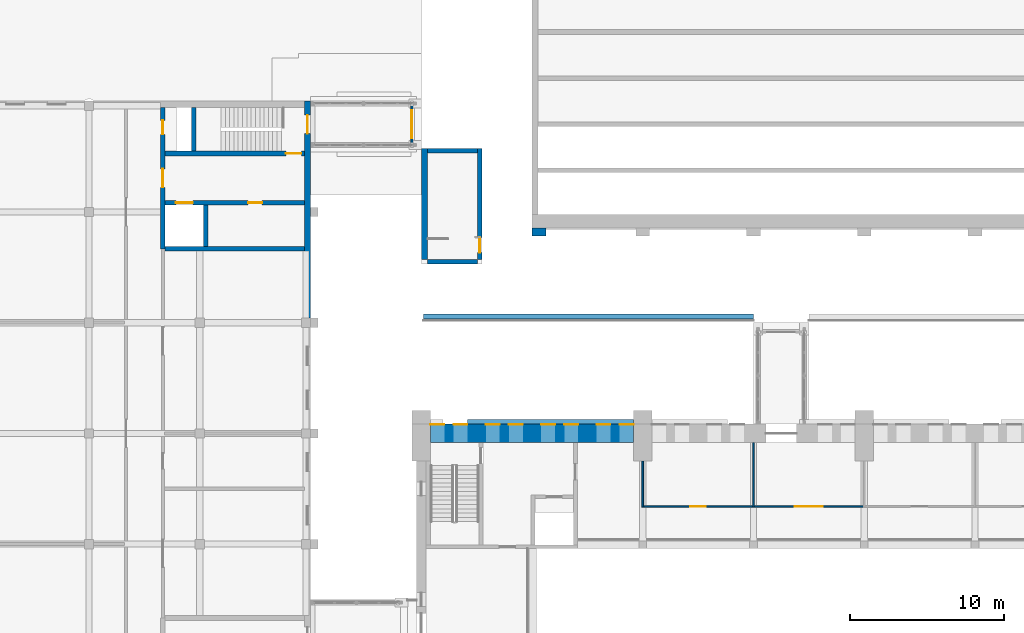
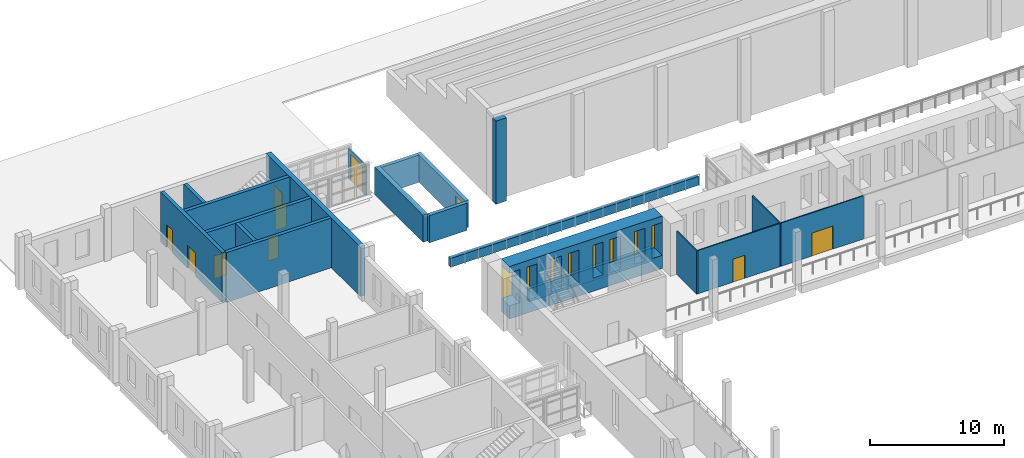
# One storey, part 85 of 131: 20 walls, 10 doors, 8 windows, 18 openings.
"""IFC4 building model written with IfcOpenShell, lengths in metres."""

from ifc_helpers import new_model, si_unit, direction, frame, frame_2d, origin, place, context, subcontext, project, spatial, rectangle, extrude, material, layer, layer_set, type_object, element, fill, save


model = new_model("IFC4")

# Units and contexts
model_context = context("Model", 3, precision=1e-05, world=origin(), true_north=direction((0.0, 1.0)))
body_context = subcontext(model_context, "Body", "Model", "MODEL_VIEW")
ifc_project = project(units=[si_unit("LENGTHUNIT", "METRE"), si_unit("AREAUNIT", "SQUARE_METRE"), si_unit("VOLUMEUNIT", "CUBIC_METRE"), si_unit("PLANEANGLEUNIT", "RADIAN"), si_unit("MASSUNIT", "GRAM", prefix="KILO")], contexts=[model_context])

# Site, building, storey
site_placement = place(None, origin())
site = spatial("IfcSite", under=ifc_project, at=site_placement, CompositionType="ELEMENT")
building_placement = place(site_placement, origin())
building = spatial("IfcBuilding", under=site, at=building_placement, Name="Alderwick Market Hall", CompositionType="ELEMENT")
storey_placement = place(building_placement, frame((0.0, 0.0, 4.800048828125)))
storey = spatial("IfcBuildingStorey", under=building, at=storey_placement, Name="L00", CompositionType="ELEMENT", Elevation=4.800048828125)

# Walls
ifc_material_1 = material(Name="Cast stone 5000 psi", Category="masonry")
ifc_layer_1 = layer(ifc_material_1, 0.300048828125)
ifc_layer_set_1 = layer_set([ifc_layer_1], Name="Cast stone 5000 psi")
wall_type_1 = type_object("IfcWallType", Name="A Cast Stone Balustrade Parapet 300", PredefinedType="SOLIDWALL", material=ifc_layer_set_1)
wall_1_placement = place(storey_placement, frame((50.550048828125, 115.60009765625, 0.0), z_axis=(0.0, 0.0, 1.0), x_axis=(1.0, 0.0, 0.0)))
element("IfcWall", 1, at=wall_1_placement, inside=storey, type_object=wall_type_1, Name="A.N.parapet.00", PredefinedType="SOLIDWALL", context=body_context, shape_type="SweptSolid", body=[
    extrude(rectangle(XDim=21.449951171875, YDim=0.300048828125, at=frame_2d((10.72509765625, 0.0))), origin(), (0.0, 0.0, 1.0), 0.800048828125),
])
ifc_material_2 = material(Name="Concrete 5000 psi (f'c 35 MPa)", Category="concrete")
ifc_layer_2 = layer(ifc_material_2, 0.89990234375)
ifc_layer_set_2 = layer_set([ifc_layer_2], Name="Concrete 5000 psi (f'c 35 MPa)")
wall_type_2 = type_object("IfcWallType", Name="A RC Bank Buttress 900", PredefinedType="SOLIDWALL", material=ifc_layer_set_2)
wall_2_placement = place(storey_placement, frame((58.050048828125, 121.35009765625, 0.0), z_axis=(0.0, 0.0, 1.0), x_axis=(0.0, -1.0, 0.0)))
element("IfcWall", 2, at=wall_2_placement, inside=storey, type_object=wall_type_2, Name="Bank buttress", PredefinedType="SOLIDWALL", context=body_context, shape_type="SweptSolid", body=[
    extrude(rectangle(XDim=0.5, YDim=0.89990234375, at=frame_2d((0.25, 0.0))), origin(), (0.0, 0.0, 1.0), 7.599853515625),
])
ifc_layer_3 = layer(ifc_material_2, 0.39990234375)
ifc_layer_set_3 = layer_set([ifc_layer_3], Name="Concrete 5000 psi (f'c 35 MPa)")
wall_type_3 = type_object("IfcWallType", Name="A RC Head-house End Wall 400", PredefinedType="SHEAR", material=ifc_layer_set_3)
wall_3_placement = place(storey_placement, frame((50.60009765625, 119.300048828125, 0.0), z_axis=(0.0, 0.0, 1.0), x_axis=(0.0, 1.0, 0.0)))
element("IfcWall", 3, at=wall_3_placement, inside=storey, type_object=wall_type_3, Name="A.N.hh.W.out", PredefinedType="SHEAR", context=body_context, shape_type="SweptSolid", body=[
    extrude(rectangle(XDim=7.219970703125, YDim=0.39990234375, at=frame_2d((3.60986328125, 0.0))), origin(), (0.0, 0.0, 1.0), 2.5),
])

# Wall, opening, door
ifc_layer_4 = layer(ifc_material_2, 0.300048828125)
ifc_layer_set_4 = layer_set([ifc_layer_4], Name="Concrete 5000 psi (f'c 35 MPa)")
wall_type_4 = type_object("IfcWallType", Name="A RC Head-house Wall 300", PredefinedType="SHEAR", material=ifc_layer_set_4)
wall_4_placement = place(storey_placement, frame((54.199951171875, 119.300048828125, 0.0), z_axis=(0.0, 0.0, 1.0), x_axis=(0.0, 1.0, 0.0)))
wall_4 = element("IfcWall", 4, at=wall_4_placement, inside=storey, type_object=wall_type_4, Name="A.N.hh.W.in", PredefinedType="SHEAR", context=body_context, shape_type="SweptSolid", body=[
    extrude(rectangle(XDim=7.219970703125, YDim=0.300048828125, at=frame_2d((3.60986328125, 0.0))), origin(), (0.0, 0.0, 1.0), 2.5),
])
opening_1_placement = place(wall_4_placement, frame((0.449951171875, 0.0, 0.0)))
opening_1 = element("IfcOpeningElement", 5, at=opening_1_placement, cuts=wall_4, Name="Opening A-D063", PredefinedType="OPENING", context=body_context, shape_type="SweptSolid", body=[
    extrude(rectangle(XDim=1.0, YDim=2.10009765625, at=frame_2d((0.5, 1.050048828125))), frame((0.0, 0.159912109375, 0.0), z_axis=(0.0, -1.0, 0.0), x_axis=(1.0, 0.0, 0.0)), (0.0, 0.0, 1.0), 0.320068359375),
])
ifc_material_3 = material(Name="Hollow metal fire door and frame")
door_type_1 = type_object("IfcDoorType", Name="A Roof Access Door 1000x2100", OperationType="SINGLE_SWING_LEFT", PredefinedType="DOOR", material=ifc_material_3)
door_1_placement = place(opening_1_placement, origin())
door_1 = element("IfcDoor", 6, at=door_1_placement, inside=storey, type_object=door_type_1, Name="Roof stair head-house door", OperationType="SINGLE_SWING_LEFT", OverallHeight=2.10009765625, OverallWidth=1.0, PredefinedType="DOOR", context=body_context, shape_type="SweptSolid", body=[
    extrude(rectangle(XDim=1.0, YDim=2.10009765625, at=frame_2d((0.5, 1.050048828125))), frame((0.0, 0.02490234375, 0.0), z_axis=(0.0, -1.0, 0.0), x_axis=(1.0, 0.0, 0.0)), (0.0, 0.0, 1.0), 0.050048828125),
])
fill(opening_1, door_1)

# Walls
for number, where, z_axis, x_axis, name in (
    (7, (50.800048828125, 126.3701171875, 0.0), (0.0, 0.0, 1.0), (1.0, 0.0, 0.0), "A.N.hh.W.n"),
    (8, (50.800048828125, 119.14990234375, 0.0), (0.0, 0.0, 1.0), (1.0, 0.0, 0.0), "A.N.hh.W.s"),
):
    element("IfcWall", number, at=place(storey_placement, frame(where, z_axis=z_axis, x_axis=x_axis)), inside=storey, type_object=wall_type_4, Name=name, PredefinedType="SHEAR", context=body_context, shape_type="SweptSolid", body=[
        extrude(rectangle(XDim=3.25, YDim=0.300048828125, at=frame_2d((1.625, 0.0))), origin(), (0.0, 0.0, 1.0), 2.5),
    ])

# Wall, opening, door
ifc_layer_5 = layer(ifc_material_2, 0.39990234375)
ifc_layer_set_5 = layer_set([ifc_layer_5], Name="Concrete 5000 psi (f'c 35 MPa)")
wall_type_5 = type_object("IfcWallType", Name="B RC Core Facade Wall 400", PredefinedType="SHEAR", material=ifc_layer_set_5)
wall_5_placement = place(storey_placement, frame((43.0, 115.5, 0.0), z_axis=(0.0, 0.0, 1.0), x_axis=(0.0, 1.0, 0.0)))
wall_5 = element("IfcWall", 9, at=wall_5_placement, inside=storey, type_object=wall_type_5, Name="B.N.wall.L00.032", PredefinedType="SHEAR", context=body_context, shape_type="SweptSolid", body=[
    extrude(rectangle(XDim=14.10009765625, YDim=0.39990234375, at=frame_2d((7.050048828125, 0.0))), origin(), (0.0, 0.0, 1.0), 4.550048828125),
])
opening_2_placement = place(wall_5_placement, frame((12.0, 0.0, 0.0)))
opening_2 = element("IfcOpeningElement", 10, at=opening_2_placement, cuts=wall_5, Name="Opening B-D008", PredefinedType="OPENING", context=body_context, shape_type="SweptSolid", body=[
    extrude(rectangle(XDim=1.199951171875, YDim=2.10009765625, at=frame_2d((0.60009765625, 1.050048828125))), frame((0.0, 0.2099609375, 0.0), z_axis=(0.0, -1.0, 0.0), x_axis=(1.0, 0.0, 0.0)), (0.0, 0.0, 1.0), 0.419921875),
])
door_type_2 = type_object("IfcDoorType", Name="B Fire Door 1200x2100", OperationType="SINGLE_SWING_LEFT", PredefinedType="DOOR", material=ifc_material_3)
door_2_placement = place(opening_2_placement, origin())
door_2 = element("IfcDoor", 11, at=door_2_placement, inside=storey, type_object=door_type_2, Name="Passage door N-1", OperationType="SINGLE_SWING_RIGHT", OverallHeight=2.10009765625, OverallWidth=1.199951171875, PredefinedType="DOOR", context=body_context, shape_type="SweptSolid", body=[
    extrude(rectangle(XDim=1.199951171875, YDim=2.10009765625, at=frame_2d((0.60009765625, 1.050048828125))), frame((0.0, 0.02490234375, 0.0), z_axis=(0.0, -1.0, 0.0), x_axis=(1.0, 0.0, 0.0)), (0.0, 0.0, 1.0), 0.050048828125),
])
fill(opening_2, door_2)

# Wall
ifc_layer_6 = layer(ifc_material_2, 0.300048828125)
ifc_layer_set_6 = layer_set([ifc_layer_6], Name="Concrete 5000 psi (f'c 35 MPa)")
wall_type_6 = type_object("IfcWallType", Name="B RC Core Wall 300", PredefinedType="SHEAR", material=ifc_layer_set_6)
wall_6_placement = place(storey_placement, frame((33.75, 120.0, 0.0), z_axis=(0.0, 0.0, 1.0), x_axis=(1.0, 0.0, 0.0)))
element("IfcWall", 12, at=wall_6_placement, inside=storey, type_object=wall_type_6, Name="B.N.wall.L00.011", PredefinedType="SHEAR", context=body_context, shape_type="SweptSolid", body=[
    extrude(rectangle(XDim=9.050048828125, YDim=0.300048828125, at=frame_2d((4.52490234375, 0.0))), origin(), (0.0, 0.0, 1.0), 4.550048828125),
])

# Wall, openings, doors
wall_7_placement = place(storey_placement, frame((33.75, 123.0, 0.0), z_axis=(0.0, 0.0, 1.0), x_axis=(1.0, 0.0, 0.0)))
wall_7 = element("IfcWall", 13, at=wall_7_placement, inside=storey, type_object=wall_type_6, Name="B.N.wall.L00.012", PredefinedType="SHEAR", context=body_context, shape_type="SweptSolid", body=[
    extrude(rectangle(XDim=9.050048828125, YDim=0.300048828125, at=frame_2d((4.52490234375, 0.0))), origin(), (0.0, 0.0, 1.0), 4.550048828125),
])
opening_3_placement = place(wall_7_placement, frame((0.699951171875, 0.0, 0.0)))
opening_3 = element("IfcOpeningElement", 14, at=opening_3_placement, cuts=wall_7, Name="Opening B-D044", PredefinedType="OPENING", context=body_context, shape_type="SweptSolid", body=[
    extrude(rectangle(XDim=1.10009765625, YDim=2.10009765625, at=frame_2d((0.550048828125, 1.050048828125))), frame((0.0, 0.159912109375, 0.0), z_axis=(0.0, -1.0, 0.0), x_axis=(1.0, 0.0, 0.0)), (0.0, 0.0, 1.0), 0.320068359375),
])
opening_4_placement = place(wall_7_placement, frame((5.39990234375, 0.0, 0.0)))
opening_4 = element("IfcOpeningElement", 15, at=opening_4_placement, cuts=wall_7, Name="Opening B-D045", PredefinedType="OPENING", context=body_context, shape_type="SweptSolid", body=[
    extrude(rectangle(XDim=0.89990234375, YDim=2.10009765625, at=frame_2d((0.449951171875, 1.050048828125))), frame((0.0, 0.159912109375, 0.0), z_axis=(0.0, -1.0, 0.0), x_axis=(1.0, 0.0, 0.0)), (0.0, 0.0, 1.0), 0.320068359375),
])
ifc_material_4 = material(Name="Hollow metal door and frame")
door_type_3 = type_object("IfcDoorType", Name="B Door 900x2100", OperationType="SINGLE_SWING_LEFT", PredefinedType="DOOR", material=ifc_material_4)
door_3_placement = place(opening_4_placement, origin())
door_3 = element("IfcDoor", 16, at=door_3_placement, inside=storey, type_object=door_type_3, Name="Cleaners store door", OperationType="SINGLE_SWING_LEFT", OverallHeight=2.10009765625, OverallWidth=0.89990234375, PredefinedType="DOOR", context=body_context, shape_type="SweptSolid", body=[
    extrude(rectangle(XDim=0.89990234375, YDim=2.10009765625, at=frame_2d((0.449951171875, 1.050048828125))), frame((0.0, 0.02490234375, 0.0), z_axis=(0.0, -1.0, 0.0), x_axis=(1.0, 0.0, 0.0)), (0.0, 0.0, 1.0), 0.050048828125),
])
fill(opening_4, door_3)
ifc_material_5 = material(Name="Stainless steel landing door", Category="steel")
door_type_4 = type_object("IfcDoorType", Name="B Lift Landing Door 1100x2100", OperationType="SLIDING_TO_LEFT", PredefinedType="DOOR", material=ifc_material_5)
door_4_placement = place(opening_3_placement, origin())
door_4 = element("IfcDoor", 17, at=door_4_placement, inside=storey, type_object=door_type_4, Name="Lift N-1 landing door L00", OperationType="SLIDING_TO_LEFT", OverallHeight=2.10009765625, OverallWidth=1.10009765625, PredefinedType="DOOR", context=body_context, shape_type="SweptSolid", body=[
    extrude(rectangle(XDim=1.10009765625, YDim=2.10009765625, at=frame_2d((0.550048828125, 1.050048828125))), frame((0.0, 0.02490234375, 0.0), z_axis=(0.0, -1.0, 0.0), x_axis=(1.0, 0.0, 0.0)), (0.0, 0.0, 1.0), 0.050048828125),
])
fill(opening_3, door_4)

# Wall, opening, door
wall_8_placement = place(storey_placement, frame((33.75, 126.199951171875, 0.0), z_axis=(0.0, 0.0, 1.0), x_axis=(1.0, 0.0, 0.0)))
wall_8 = element("IfcWall", 18, at=wall_8_placement, inside=storey, type_object=wall_type_6, Name="B.N.wall.L00.013", PredefinedType="SHEAR", context=body_context, shape_type="SweptSolid", body=[
    extrude(rectangle(XDim=9.050048828125, YDim=0.300048828125, at=frame_2d((4.52490234375, 0.0))), origin(), (0.0, 0.0, 1.0), 4.550048828125),
])
opening_5_placement = place(wall_8_placement, frame((7.85009765625, 0.0, 0.0)))
opening_5 = element("IfcOpeningElement", 19, at=opening_5_placement, cuts=wall_8, Name="Opening B-D041", PredefinedType="OPENING", context=body_context, shape_type="SweptSolid", body=[
    extrude(rectangle(XDim=1.0, YDim=2.10009765625, at=frame_2d((0.5, 1.050048828125))), frame((0.0, 0.159912109375, 0.0), z_axis=(0.0, -1.0, 0.0), x_axis=(1.0, 0.0, 0.0)), (0.0, 0.0, 1.0), 0.320068359375),
])
door_type_5 = type_object("IfcDoorType", Name="B Fire Door 1000x2100", OperationType="SINGLE_SWING_LEFT", PredefinedType="DOOR", material=ifc_material_3)
door_5_placement = place(opening_5_placement, origin())
door_5 = element("IfcDoor", 20, at=door_5_placement, inside=storey, type_object=door_type_5, Name="Stair N-1 lobby door", OperationType="SINGLE_SWING_LEFT", OverallHeight=2.10009765625, OverallWidth=1.0, PredefinedType="DOOR", context=body_context, shape_type="SweptSolid", body=[
    extrude(rectangle(XDim=1.0, YDim=2.10009765625, at=frame_2d((0.5, 1.050048828125))), frame((0.0, 0.02490234375, 0.0), z_axis=(0.0, -1.0, 0.0), x_axis=(1.0, 0.0, 0.0)), (0.0, 0.0, 1.0), 0.050048828125),
])
fill(opening_5, door_5)

# Wall, openings, doors
wall_9_placement = place(storey_placement, frame((33.60009765625, 120.0, 0.0), z_axis=(0.0, 0.0, 1.0), x_axis=(0.0, 1.0, 0.0)))
wall_9 = element("IfcWall", 21, at=wall_9_placement, inside=storey, type_object=wall_type_6, Name="B.N.wall.L00.025", PredefinedType="SHEAR", context=body_context, shape_type="SweptSolid", body=[
    extrude(rectangle(XDim=9.199951171875, YDim=0.300048828125, at=frame_2d((4.60009765625, 0.0))), origin(), (0.0, 0.0, 1.0), 4.550048828125),
])
opening_6_placement = place(wall_9_placement, frame((4.0, 0.0, 0.0)))
opening_6 = element("IfcOpeningElement", 22, at=opening_6_placement, cuts=wall_9, Name="Opening B-D042", PredefinedType="OPENING", context=body_context, shape_type="SweptSolid", body=[
    extrude(rectangle(XDim=1.199951171875, YDim=2.10009765625, at=frame_2d((0.60009765625, 1.050048828125))), frame((0.0, 0.159912109375, 0.0), z_axis=(0.0, -1.0, 0.0), x_axis=(1.0, 0.0, 0.0)), (0.0, 0.0, 1.0), 0.320068359375),
])
opening_7_placement = place(wall_9_placement, frame((7.449951171875, 0.0, 0.0)))
opening_7 = element("IfcOpeningElement", 23, at=opening_7_placement, cuts=wall_9, Name="Opening B-D043", PredefinedType="OPENING", context=body_context, shape_type="SweptSolid", body=[
    extrude(rectangle(XDim=0.89990234375, YDim=2.10009765625, at=frame_2d((0.449951171875, 1.050048828125))), frame((0.0, 0.159912109375, 0.0), z_axis=(0.0, -1.0, 0.0), x_axis=(1.0, 0.0, 0.0)), (0.0, 0.0, 1.0), 0.320068359375),
])
door_6_placement = place(opening_6_placement, origin())
door_6 = element("IfcDoor", 24, at=door_6_placement, inside=storey, type_object=door_type_2, Name="Lobby N-1 corridor door", OperationType="SINGLE_SWING_RIGHT", OverallHeight=2.10009765625, OverallWidth=1.199951171875, PredefinedType="DOOR", context=body_context, shape_type="SweptSolid", body=[
    extrude(rectangle(XDim=1.199951171875, YDim=2.10009765625, at=frame_2d((0.60009765625, 1.050048828125))), frame((0.0, 0.02490234375, 0.0), z_axis=(0.0, -1.0, 0.0), x_axis=(1.0, 0.0, 0.0)), (0.0, 0.0, 1.0), 0.050048828125),
])
fill(opening_6, door_6)
door_type_6 = type_object("IfcDoorType", Name="B Fire Door 900x2100", OperationType="SINGLE_SWING_LEFT", PredefinedType="DOOR", material=ifc_material_3)
door_7_placement = place(opening_7_placement, origin())
door_7 = element("IfcDoor", 25, at=door_7_placement, inside=storey, type_object=door_type_6, Name="Riser N-1 access door", OperationType="SINGLE_SWING_LEFT", OverallHeight=2.10009765625, OverallWidth=0.89990234375, PredefinedType="DOOR", context=body_context, shape_type="SweptSolid", body=[
    extrude(rectangle(XDim=0.89990234375, YDim=2.10009765625, at=frame_2d((0.449951171875, 1.050048828125))), frame((0.0, 0.02490234375, 0.0), z_axis=(0.0, -1.0, 0.0), x_axis=(1.0, 0.0, 0.0)), (0.0, 0.0, 1.0), 0.050048828125),
])
fill(opening_7, door_7)

# Walls
wall_10_placement = place(storey_placement, frame((35.60009765625, 126.35009765625, 0.0), z_axis=(0.0, 0.0, 1.0), x_axis=(0.0, 1.0, 0.0)))
element("IfcWall", 26, at=wall_10_placement, inside=storey, type_object=wall_type_6, Name="B.N.wall.L00.027", PredefinedType="SHEAR", context=body_context, shape_type="SweptSolid", body=[
    extrude(rectangle(XDim=2.849853515625, YDim=0.300048828125, at=frame_2d((1.4248046875, 0.0))), origin(), (0.0, 0.0, 1.0), 4.550048828125),
])
wall_11_placement = place(storey_placement, frame((36.39990234375, 120.14990234375, 0.0), z_axis=(0.0, 0.0, 1.0), x_axis=(0.0, 1.0, 0.0)))
element("IfcWall", 27, at=wall_11_placement, inside=storey, type_object=wall_type_6, Name="B.N.wall.L00.028", PredefinedType="SHEAR", context=body_context, shape_type="SweptSolid", body=[
    extrude(rectangle(XDim=2.7001953125, YDim=0.300048828125, at=frame_2d((1.35009765625, 0.0))), origin(), (0.0, 0.0, 1.0), 4.550048828125),
])
ifc_material_6 = material(Name="Cast stone 5000 psi (f'c 35 MPa), ASTM C1364", Category="masonry")
ifc_layer_7 = layer(ifc_material_6, 0.300048828125)
ifc_layer_set_7 = layer_set([ifc_layer_7], Name="Cast stone 5000 psi (f'c 35 MPa), ASTM C1364")
wall_type_7 = type_object("IfcWallType", Name="H Base course 300", PredefinedType="SOLIDWALL", material=ifc_layer_set_7)
wall_12_placement = place(storey_placement, frame((53.39990234375, 108.75, 0.0), z_axis=(0.0, 0.0, 1.0), x_axis=(1.0, 0.0, 0.0)))
element("IfcWall", 28, at=wall_12_placement, inside=storey, type_object=wall_type_7, Name="Base course N1", PredefinedType="SOLIDWALL", context=body_context, shape_type="SweptSolid", body=[
    extrude(rectangle(XDim=10.800048828125, YDim=0.300048828125, at=frame_2d((5.39990234375, 0.0))), origin(), (0.0, 0.0, 1.0), 1.199951171875),
])

# Wall, openings, windows
ifc_layer_8 = layer(ifc_material_2, 1.199951171875)
ifc_layer_set_8 = layer_set([ifc_layer_8], Name="Concrete 5000 psi (f'c 35 MPa)")
wall_type_8 = type_object("IfcWallType", Name="H Long wall 1200", PredefinedType="SOLIDWALL", material=ifc_layer_set_8)
wall_13_placement = place(storey_placement, frame((51.0, 108.0, 0.0), z_axis=(0.0, 0.0, 1.0), x_axis=(1.0, 0.0, 0.0)))
wall_13 = element("IfcWall", 29, at=wall_13_placement, inside=storey, type_object=wall_type_8, Name="Long wall N L00 1", PredefinedType="SOLIDWALL", context=body_context, shape_type="SweptSolid", body=[
    extrude(rectangle(XDim=13.199951171875, YDim=1.199951171875, at=frame_2d((6.60009765625, 0.0))), origin(), (0.0, 0.0, 1.0), 4.800048828125),
])
opening_8_placement = place(wall_13_placement, frame((0.0, 0.0, 1.199951171875)))
opening_8 = element("IfcOpeningElement", 30, at=opening_8_placement, cuts=wall_13, Name="Opening H-W109", PredefinedType="OPENING", context=body_context, shape_type="SweptSolid", body=[
    extrude(rectangle(XDim=0.89990234375, YDim=3.0, at=frame_2d((0.449951171875, 1.5))), frame((0.0, 0.60986328125, 0.0), z_axis=(0.0, -1.0, 0.0), x_axis=(1.0, 0.0, 0.0)), (0.0, 0.0, 1.0), 1.219970703125),
])
opening_9_placement = place(wall_13_placement, frame((1.5, 0.0, 1.199951171875)))
opening_9 = element("IfcOpeningElement", 31, at=opening_9_placement, cuts=wall_13, Name="Opening H-W110", PredefinedType="OPENING", context=body_context, shape_type="SweptSolid", body=[
    extrude(rectangle(XDim=0.89990234375, YDim=3.0, at=frame_2d((0.449951171875, 1.5))), frame((0.0, 0.60986328125, 0.0), z_axis=(0.0, -1.0, 0.0), x_axis=(1.0, 0.0, 0.0)), (0.0, 0.0, 1.0), 1.219970703125),
])
opening_10_placement = place(wall_13_placement, frame((3.60009765625, 0.0, 1.199951171875)))
opening_10 = element("IfcOpeningElement", 32, at=opening_10_placement, cuts=wall_13, Name="Opening H-W111", PredefinedType="OPENING", context=body_context, shape_type="SweptSolid", body=[
    extrude(rectangle(XDim=0.89990234375, YDim=3.0, at=frame_2d((0.449951171875, 1.5))), frame((0.0, 0.60986328125, 0.0), z_axis=(0.0, -1.0, 0.0), x_axis=(1.0, 0.0, 0.0)), (0.0, 0.0, 1.0), 1.219970703125),
])
opening_11_placement = place(wall_13_placement, frame((5.10009765625, 0.0, 1.199951171875)))
opening_11 = element("IfcOpeningElement", 33, at=opening_11_placement, cuts=wall_13, Name="Opening H-W112", PredefinedType="OPENING", context=body_context, shape_type="SweptSolid", body=[
    extrude(rectangle(XDim=0.89990234375, YDim=3.0, at=frame_2d((0.449951171875, 1.5))), frame((0.0, 0.60986328125, 0.0), z_axis=(0.0, -1.0, 0.0), x_axis=(1.0, 0.0, 0.0)), (0.0, 0.0, 1.0), 1.219970703125),
])
opening_12_placement = place(wall_13_placement, frame((7.199951171875, 0.0, 1.199951171875)))
opening_12 = element("IfcOpeningElement", 34, at=opening_12_placement, cuts=wall_13, Name="Opening H-W113", PredefinedType="OPENING", context=body_context, shape_type="SweptSolid", body=[
    extrude(rectangle(XDim=0.89990234375, YDim=3.0, at=frame_2d((0.449951171875, 1.5))), frame((0.0, 0.60986328125, 0.0), z_axis=(0.0, -1.0, 0.0), x_axis=(1.0, 0.0, 0.0)), (0.0, 0.0, 1.0), 1.219970703125),
])
opening_13_placement = place(wall_13_placement, frame((8.699951171875, 0.0, 1.199951171875)))
opening_13 = element("IfcOpeningElement", 35, at=opening_13_placement, cuts=wall_13, Name="Opening H-W114", PredefinedType="OPENING", context=body_context, shape_type="SweptSolid", body=[
    extrude(rectangle(XDim=0.89990234375, YDim=3.0, at=frame_2d((0.449951171875, 1.5))), frame((0.0, 0.60986328125, 0.0), z_axis=(0.0, -1.0, 0.0), x_axis=(1.0, 0.0, 0.0)), (0.0, 0.0, 1.0), 1.219970703125),
])
opening_14_placement = place(wall_13_placement, frame((10.800048828125, 0.0, 1.199951171875)))
opening_14 = element("IfcOpeningElement", 36, at=opening_14_placement, cuts=wall_13, Name="Opening H-W115", PredefinedType="OPENING", context=body_context, shape_type="SweptSolid", body=[
    extrude(rectangle(XDim=0.89990234375, YDim=3.0, at=frame_2d((0.449951171875, 1.5))), frame((0.0, 0.60986328125, 0.0), z_axis=(0.0, -1.0, 0.0), x_axis=(1.0, 0.0, 0.0)), (0.0, 0.0, 1.0), 1.219970703125),
])
opening_15_placement = place(wall_13_placement, frame((12.300048828125, 0.0, 1.199951171875)))
opening_15 = element("IfcOpeningElement", 37, at=opening_15_placement, cuts=wall_13, Name="Opening H-W116", PredefinedType="OPENING", context=body_context, shape_type="SweptSolid", body=[
    extrude(rectangle(XDim=0.89990234375, YDim=3.0, at=frame_2d((0.449951171875, 1.5))), frame((0.0, 0.60986328125, 0.0), z_axis=(0.0, -1.0, 0.0), x_axis=(1.0, 0.0, 0.0)), (0.0, 0.0, 1.0), 1.219970703125),
])
ifc_material_7 = material(Name="Aluminium frame with insulated glass", Category="aluminium")
window_type = type_object("IfcWindowType", Name="H Window 900x3000", PartitioningType="SINGLE_PANEL", PredefinedType="WINDOW", material=ifc_material_7)
window_1_placement = place(opening_8_placement, origin())
window_1 = element("IfcWindow", 38, at=window_1_placement, inside=storey, type_object=window_type, Name="Window H-W109", OverallHeight=3.0, OverallWidth=0.89990234375, PartitioningType="SINGLE_PANEL", PredefinedType="WINDOW", context=body_context, shape_type="SweptSolid", body=[
    extrude(rectangle(XDim=0.89990234375, YDim=3.0, at=frame_2d((0.449951171875, 1.5))), frame((0.0, 0.610107421875, 0.0), z_axis=(0.0, -1.0, 0.0), x_axis=(1.0, 0.0, 0.0)), (0.0, 0.0, 1.0), 0.06005859375),
])
fill(opening_8, window_1)
window_2_placement = place(opening_9_placement, origin())
window_2 = element("IfcWindow", 39, at=window_2_placement, inside=storey, type_object=window_type, Name="Window H-W110", OverallHeight=3.0, OverallWidth=0.89990234375, PartitioningType="SINGLE_PANEL", PredefinedType="WINDOW", context=body_context, shape_type="SweptSolid", body=[
    extrude(rectangle(XDim=0.89990234375, YDim=3.0, at=frame_2d((0.449951171875, 1.5))), frame((0.0, 0.610107421875, 0.0), z_axis=(0.0, -1.0, 0.0), x_axis=(1.0, 0.0, 0.0)), (0.0, 0.0, 1.0), 0.06005859375),
])
fill(opening_9, window_2)
window_3_placement = place(opening_10_placement, origin())
window_3 = element("IfcWindow", 40, at=window_3_placement, inside=storey, type_object=window_type, Name="Window H-W111", OverallHeight=3.0, OverallWidth=0.89990234375, PartitioningType="SINGLE_PANEL", PredefinedType="WINDOW", context=body_context, shape_type="SweptSolid", body=[
    extrude(rectangle(XDim=0.89990234375, YDim=3.0, at=frame_2d((0.449951171875, 1.5))), frame((0.0, 0.610107421875, 0.0), z_axis=(0.0, -1.0, 0.0), x_axis=(1.0, 0.0, 0.0)), (0.0, 0.0, 1.0), 0.06005859375),
])
fill(opening_10, window_3)
window_4_placement = place(opening_11_placement, origin())
window_4 = element("IfcWindow", 41, at=window_4_placement, inside=storey, type_object=window_type, Name="Window H-W112", OverallHeight=3.0, OverallWidth=0.89990234375, PartitioningType="SINGLE_PANEL", PredefinedType="WINDOW", context=body_context, shape_type="SweptSolid", body=[
    extrude(rectangle(XDim=0.89990234375, YDim=3.0, at=frame_2d((0.449951171875, 1.5))), frame((0.0, 0.610107421875, 0.0), z_axis=(0.0, -1.0, 0.0), x_axis=(1.0, 0.0, 0.0)), (0.0, 0.0, 1.0), 0.06005859375),
])
fill(opening_11, window_4)
window_5_placement = place(opening_12_placement, origin())
window_5 = element("IfcWindow", 42, at=window_5_placement, inside=storey, type_object=window_type, Name="Window H-W113", OverallHeight=3.0, OverallWidth=0.89990234375, PartitioningType="SINGLE_PANEL", PredefinedType="WINDOW", context=body_context, shape_type="SweptSolid", body=[
    extrude(rectangle(XDim=0.89990234375, YDim=3.0, at=frame_2d((0.449951171875, 1.5))), frame((0.0, 0.610107421875, 0.0), z_axis=(0.0, -1.0, 0.0), x_axis=(1.0, 0.0, 0.0)), (0.0, 0.0, 1.0), 0.06005859375),
])
fill(opening_12, window_5)
window_6_placement = place(opening_13_placement, origin())
window_6 = element("IfcWindow", 43, at=window_6_placement, inside=storey, type_object=window_type, Name="Window H-W114", OverallHeight=3.0, OverallWidth=0.89990234375, PartitioningType="SINGLE_PANEL", PredefinedType="WINDOW", context=body_context, shape_type="SweptSolid", body=[
    extrude(rectangle(XDim=0.89990234375, YDim=3.0, at=frame_2d((0.449951171875, 1.5))), frame((0.0, 0.610107421875, 0.0), z_axis=(0.0, -1.0, 0.0), x_axis=(1.0, 0.0, 0.0)), (0.0, 0.0, 1.0), 0.06005859375),
])
fill(opening_13, window_6)
window_7_placement = place(opening_14_placement, origin())
window_7 = element("IfcWindow", 44, at=window_7_placement, inside=storey, type_object=window_type, Name="Window H-W115", OverallHeight=3.0, OverallWidth=0.89990234375, PartitioningType="SINGLE_PANEL", PredefinedType="WINDOW", context=body_context, shape_type="SweptSolid", body=[
    extrude(rectangle(XDim=0.89990234375, YDim=3.0, at=frame_2d((0.449951171875, 1.5))), frame((0.0, 0.610107421875, 0.0), z_axis=(0.0, -1.0, 0.0), x_axis=(1.0, 0.0, 0.0)), (0.0, 0.0, 1.0), 0.06005859375),
])
fill(opening_14, window_7)
window_8_placement = place(opening_15_placement, origin())
window_8 = element("IfcWindow", 45, at=window_8_placement, inside=storey, type_object=window_type, Name="Window H-W116", OverallHeight=3.0, OverallWidth=0.89990234375, PartitioningType="SINGLE_PANEL", PredefinedType="WINDOW", context=body_context, shape_type="SweptSolid", body=[
    extrude(rectangle(XDim=0.89990234375, YDim=3.0, at=frame_2d((0.449951171875, 1.5))), frame((0.0, 0.610107421875, 0.0), z_axis=(0.0, -1.0, 0.0), x_axis=(1.0, 0.0, 0.0)), (0.0, 0.0, 1.0), 0.06005859375),
])
fill(opening_15, window_8)

# Walls
ifc_material_8 = material(Name="Gypsum board partition")
ifc_layer_9 = layer(ifc_material_8, 0.10009765625)
ifc_layer_set_9 = layer_set([ifc_layer_9], Name="Gypsum board partition")
wall_type_9 = type_object("IfcWallType", Name="H Partition 100", PredefinedType="PARTITIONING", material=ifc_layer_set_9)
wall_14_placement = place(storey_placement, frame((64.800048828125, 106.199951171875, 0.0), z_axis=(0.0, 0.0, 1.0), x_axis=(0.0, -1.0, 0.0)))
element("IfcWall", 46, at=wall_14_placement, inside=storey, type_object=wall_type_9, Name="Partition", PredefinedType="PARTITIONING", context=body_context, shape_type="SweptSolid", body=[
    extrude(rectangle(XDim=3.0, YDim=0.10009765625, at=frame_2d((1.5, 0.0))), origin(), (0.0, 0.0, 1.0), 3.949951171875),
])
wall_15_placement = place(storey_placement, frame((72.0, 107.39990234375, 0.0), z_axis=(0.0, 0.0, 1.0), x_axis=(0.0, -1.0, 0.0)))
element("IfcWall", 47, at=wall_15_placement, inside=storey, type_object=wall_type_9, Name="Partition", PredefinedType="PARTITIONING", context=body_context, shape_type="SweptSolid", body=[
    extrude(rectangle(XDim=4.199951171875, YDim=0.10009765625, at=frame_2d((2.10009765625, 0.0))), origin(), (0.0, 0.0, 1.0), 3.949951171875),
])

# Wall, opening, door
wall_16_placement = place(storey_placement, frame((64.85009765625, 103.25, 0.0), z_axis=(0.0, 0.0, 1.0), x_axis=(1.0, 0.0, 0.0)))
wall_16 = element("IfcWall", 48, at=wall_16_placement, inside=storey, type_object=wall_type_9, Name="Partition", PredefinedType="PARTITIONING", context=body_context, shape_type="SweptSolid", body=[
    extrude(rectangle(XDim=7.099853515625, YDim=0.10009765625, at=frame_2d((3.5498046875, 0.0))), origin(), (0.0, 0.0, 1.0), 3.949951171875),
])
opening_16_placement = place(wall_16_placement, frame((3.050048828125, 0.0, 0.0)))
opening_16 = element("IfcOpeningElement", 49, at=opening_16_placement, cuts=wall_16, Name="Opening H-D068", PredefinedType="OPENING", context=body_context, shape_type="SweptSolid", body=[
    extrude(rectangle(XDim=1.0, YDim=2.10009765625, at=frame_2d((0.5, 1.050048828125))), frame((0.0, 0.06005859375, 0.0), z_axis=(0.0, -1.0, 0.0), x_axis=(1.0, 0.0, 0.0)), (0.0, 0.0, 1.0), 0.1201171875),
])
ifc_material_9 = material(Name="Timber, solid core", Category="wood")
door_type_7 = type_object("IfcDoorType", Name="H Room door 1000x2100", OperationType="SINGLE_SWING_LEFT", PredefinedType="DOOR", material=ifc_material_9)
door_8_placement = place(opening_16_placement, origin())
door_8 = element("IfcDoor", 50, at=door_8_placement, inside=storey, type_object=door_type_7, Name="Door H-D068", OperationType="SINGLE_SWING_LEFT", OverallHeight=2.10009765625, OverallWidth=1.0, PredefinedType="DOOR", context=body_context, shape_type="SweptSolid", body=[
    extrude(rectangle(XDim=1.0, YDim=2.10009765625, at=frame_2d((0.5, 1.050048828125))), frame((0.0, 0.02490234375, 0.0), z_axis=(0.0, -1.0, 0.0), x_axis=(1.0, 0.0, 0.0)), (0.0, 0.0, 1.0), 0.050048828125),
])
fill(opening_16, door_8)

wall_17_placement = place(storey_placement, frame((72.050048828125, 103.25, 0.0), z_axis=(0.0, 0.0, 1.0), x_axis=(1.0, 0.0, 0.0)))
wall_17 = element("IfcWall", 51, at=wall_17_placement, inside=storey, type_object=wall_type_9, Name="Partition", PredefinedType="PARTITIONING", context=body_context, shape_type="SweptSolid", body=[
    extrude(rectangle(XDim=7.099853515625, YDim=0.10009765625, at=frame_2d((3.5498046875, 0.0))), origin(), (0.0, 0.0, 1.0), 3.949951171875),
])
opening_17_placement = place(wall_17_placement, frame((2.64990234375, 0.0, 0.0)))
opening_17 = element("IfcOpeningElement", 52, at=opening_17_placement, cuts=wall_17, Name="Opening H-D069", PredefinedType="OPENING", context=body_context, shape_type="SweptSolid", body=[
    extrude(rectangle(XDim=1.800048828125, YDim=2.10009765625, at=frame_2d((0.89990234375, 1.050048828125))), frame((0.0, 0.06005859375, 0.0), z_axis=(0.0, -1.0, 0.0), x_axis=(1.0, 0.0, 0.0)), (0.0, 0.0, 1.0), 0.1201171875),
])
ifc_material_10 = material(Name="Timber and glass", Category="wood")
door_type_8 = type_object("IfcDoorType", Name="H Double door 1800x2100", OperationType="DOUBLE_DOOR_SINGLE_SWING", PredefinedType="DOOR", material=ifc_material_10)
door_9_placement = place(opening_17_placement, origin())
door_9 = element("IfcDoor", 53, at=door_9_placement, inside=storey, type_object=door_type_8, Name="Door H-D069", OperationType="DOUBLE_DOOR_SINGLE_SWING", OverallHeight=2.10009765625, OverallWidth=1.800048828125, PredefinedType="DOOR", context=body_context, shape_type="SweptSolid", body=[
    extrude(rectangle(XDim=1.800048828125, YDim=2.10009765625, at=frame_2d((0.89990234375, 1.050048828125))), frame((0.0, 0.02490234375, 0.0), z_axis=(0.0, -1.0, 0.0), x_axis=(1.0, 0.0, 0.0)), (0.0, 0.0, 1.0), 0.050048828125),
])
fill(opening_17, door_9)

ifc_material_11 = material(Name="Aluminium frame with glazing infill", Category="aluminium")
ifc_layer_10 = layer(ifc_material_11, 0.1201171875)
ifc_layer_set_10 = layer_set([ifc_layer_10], Name="Aluminium frame with glazing infill")
wall_type_10 = type_object("IfcWallType", Name="P Glazed End Wall 120", PredefinedType="SOLIDWALL", material=ifc_layer_set_10)
wall_18_placement = place(storey_placement, frame((49.7900390625, 126.825927734375, 0.0), z_axis=(0.0, 0.0, 1.0), x_axis=(0.0, 1.0, 0.0)))
wall_18 = element("IfcWall", 54, at=wall_18_placement, inside=storey, type_object=wall_type_10, Name="P.P7.endwall.high", PredefinedType="SOLIDWALL", context=body_context, shape_type="SweptSolid", body=[
    extrude(rectangle(XDim=2.548095703125, YDim=0.1201171875, at=frame_2d((1.27392578125, 0.0))), origin(), (0.0, 0.0, 1.0), 2.7529296875),
])
opening_18_placement = place(wall_18_placement, frame((0.3740234375, 0.0, 0.0)))
opening_18 = element("IfcOpeningElement", 55, at=opening_18_placement, cuts=wall_18, Name="Opening P-D005", PredefinedType="OPENING", context=body_context, shape_type="SweptSolid", body=[
    extrude(rectangle(XDim=1.800048828125, YDim=2.39990234375, at=frame_2d((0.89990234375, 1.199951171875))), frame((0.0, 0.070068359375, 0.0), z_axis=(0.0, -1.0, 0.0), x_axis=(1.0, 0.0, 0.0)), (0.0, 0.0, 1.0), 0.14013671875),
])
ifc_material_12 = material(Name="Aluminium frame and glass", Category="aluminium")
door_type_9 = type_object("IfcDoorType", Name="P Glazed Double Door 1800x2400", OperationType="DOUBLE_DOOR_DOUBLE_SWING", PredefinedType="DOOR", material=ifc_material_12)
door_10_placement = place(opening_18_placement, origin())
door_10 = element("IfcDoor", 56, at=door_10_placement, inside=storey, type_object=door_type_9, Name="Passage door onto the roof", OperationType="DOUBLE_DOOR_DOUBLE_SWING", OverallHeight=2.39990234375, OverallWidth=1.800048828125, PredefinedType="DOOR", context=body_context, shape_type="SweptSolid", body=[
    extrude(rectangle(XDim=1.800048828125, YDim=2.39990234375, at=frame_2d((0.89990234375, 1.199951171875))), frame((0.0, 0.02490234375, 0.0), z_axis=(0.0, -1.0, 0.0), x_axis=(1.0, 0.0, 0.0)), (0.0, 0.0, 1.0), 0.050048828125),
])
fill(opening_18, door_10)

save(model, "model.ifc")
